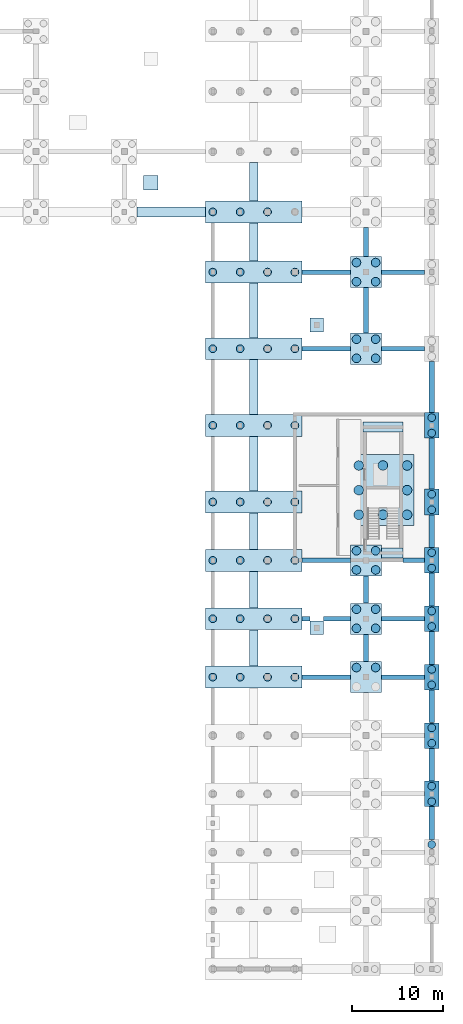
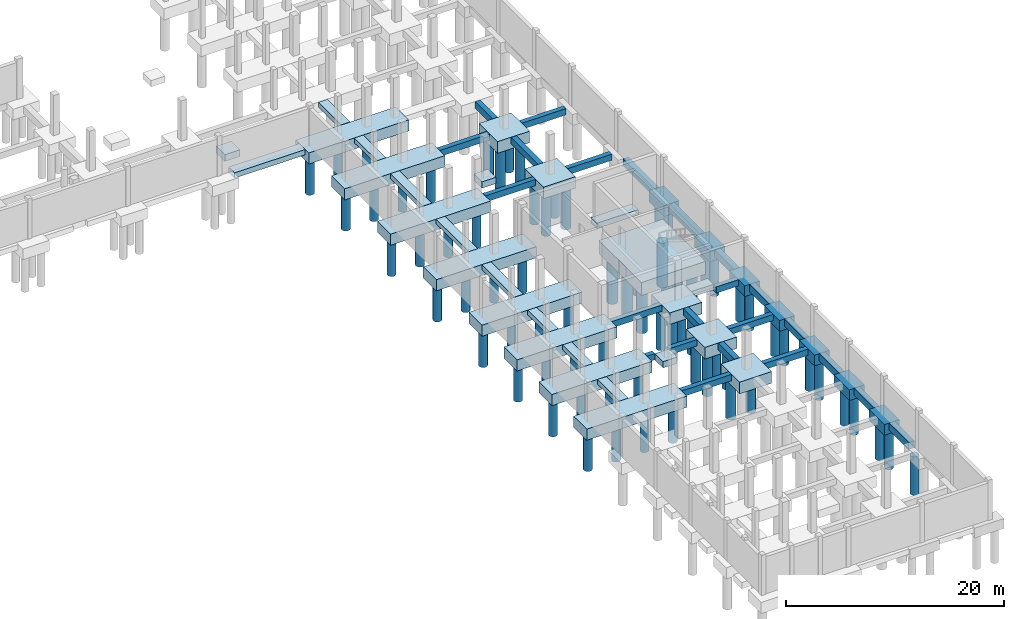
# One storey, part 6 of 21: 72 piles, 58 footings.
"""IFC4 building model written with IfcOpenShell, lengths in metres."""

from ifc_helpers import new_model, si_unit, derived_unit, direction, frame, origin, origin_2d, place, context, subcontext, project, spatial, rectangle, circle, extrude, material, material_profile, profile_set, type_object, element, save


model = new_model("IFC4")

# Units and contexts
model_context = context("Model", 3, precision=1e-05, world=origin(), true_north=direction((0.0, 1.0)))
body_context = subcontext(model_context, "Body", "Model", "MODEL_VIEW")
ifc_project = project(units=[si_unit("LENGTHUNIT", "METRE"), si_unit("AREAUNIT", "SQUARE_METRE"), si_unit("VOLUMEUNIT", "CUBIC_METRE"), si_unit("PLANEANGLEUNIT", "RADIAN"), si_unit("MASSUNIT", "GRAM", prefix="KILO"), derived_unit("THERMALTRANSMITTANCEUNIT", [(si_unit("POWERUNIT", "WATT"), 1), (si_unit("LENGTHUNIT", "METRE"), -2), (si_unit("THERMODYNAMICTEMPERATUREUNIT", "KELVIN"), -1)])], contexts=[model_context])

# Site, building, storey
site_placement = place(None, origin())
site = spatial("IfcSite", under=ifc_project, at=site_placement, CompositionType="ELEMENT")
building_placement = place(site_placement, origin())
building = spatial("IfcBuilding", under=site, at=building_placement, Name="Braskholm Square Health Centre", CompositionType="ELEMENT")
storey_placement = place(building_placement, frame((0.0, 0.0, -4.5)))
storey = spatial("IfcBuildingStorey", under=building, at=storey_placement, Name="B01", CompositionType="ELEMENT", Elevation=-4.5)

# Piles
ifc_material = material(Name="Concrete C40/50 (f'c = 40 MPa)", Category="concrete")
ifc_material_profile_1 = material_profile(ifc_material, circle(Radius=0.52490234375, at=origin_2d()), Name="BORED-PILE-1050")
ifc_profile_set_1 = profile_set([ifc_material_profile_1], Name="Concrete C40/50 (f'c = 40 MPa)")
pile_type_1 = type_object("IfcPileType", Name="BoredShaft1050", PredefinedType="BORED", material=ifc_profile_set_1)
for number, where, z_axis, x_axis, name in (
    (1, (161.10009765625, 54.0, -1.35009765625), (0.0, 0.0, -1.0), (1.0, 0.0, 0.0), "Rock-socketed shaft 0025"),
    (2, (161.10009765625, 56.699951171875, -1.35009765625), (0.0, 0.0, -1.0), (1.0, 0.0, 0.0), "Rock-socketed shaft 0026"),
    (3, (161.10009765625, 59.39990234375, -1.35009765625), (0.0, 0.0, -1.0), (1.0, 0.0, 0.0), "Rock-socketed shaft 0027"),
    (4, (158.449951171875, 54.0, -1.35009765625), (0.0, 0.0, -1.0), (1.0, 0.0, 0.0), "Rock-socketed shaft 0028"),
    (5, (158.449951171875, 59.39990234375, -1.35009765625), (0.0, 0.0, -1.0), (1.0, 0.0, 0.0), "Rock-socketed shaft 0029"),
    (6, (155.800048828125, 54.0, -1.35009765625), (0.0, 0.0, -1.0), (1.0, 0.0, 0.0), "Rock-socketed shaft 0030"),
    (7, (155.800048828125, 56.699951171875, -1.35009765625), (0.0, 0.0, -1.0), (1.0, 0.0, 0.0), "Rock-socketed shaft 0031"),
    (8, (155.800048828125, 59.39990234375, -1.35009765625), (0.0, 0.0, -1.0), (1.0, 0.0, 0.0), "Rock-socketed shaft 0032"),
):
    element("IfcPile", number, at=place(storey_placement, frame(where, z_axis=z_axis, x_axis=x_axis)), inside=storey, type_object=pile_type_1, Name=name, PredefinedType="BORED", context=body_context, shape_type="SweptSolid", body=[
        extrude(circle(Radius=0.52490234375, at=origin_2d()), origin(), (0.0, 0.0, 1.0), 5.0),
    ])
ifc_material_profile_2 = material_profile(ifc_material, circle(Radius=0.425048828125, at=origin_2d()), Name="BORED-PILE-850")
ifc_profile_set_2 = profile_set([ifc_material_profile_2], Name="Concrete C40/50 (f'c = 40 MPa)")
pile_type_2 = type_object("IfcPileType", Name="BoredShaft850", PredefinedType="BORED", material=ifc_profile_set_2)
for number, where, z_axis, x_axis, name in (
    (9, (139.800048828125, 36.199951171875, -1.14990234375), (0.0, 0.0, -1.0), (1.0, 0.0, 0.0), "Rock-socketed shaft 0121"),
    (10, (142.800048828125, 36.199951171875, -1.14990234375), (0.0, 0.0, -1.0), (1.0, 0.0, 0.0), "Rock-socketed shaft 0122"),
    (11, (145.800048828125, 36.199951171875, -1.14990234375), (0.0, 0.0, -1.0), (1.0, 0.0, 0.0), "Rock-socketed shaft 0123"),
    (12, (148.800048828125, 36.199951171875, -1.14990234375), (0.0, 0.0, -1.0), (1.0, 0.0, 0.0), "Rock-socketed shaft 0124"),
    (13, (139.800048828125, 42.60009765625, -1.14990234375), (0.0, 0.0, -1.0), (1.0, 0.0, 0.0), "Rock-socketed shaft 0125"),
    (14, (142.800048828125, 42.60009765625, -1.14990234375), (0.0, 0.0, -1.0), (1.0, 0.0, 0.0), "Rock-socketed shaft 0126"),
    (15, (145.800048828125, 42.60009765625, -1.14990234375), (0.0, 0.0, -1.0), (1.0, 0.0, 0.0), "Rock-socketed shaft 0127"),
    (16, (148.800048828125, 42.60009765625, -1.14990234375), (0.0, 0.0, -1.0), (1.0, 0.0, 0.0), "Rock-socketed shaft 0128"),
    (17, (139.800048828125, 49.0, -1.14990234375), (0.0, 0.0, -1.0), (1.0, 0.0, 0.0), "Rock-socketed shaft 0129"),
    (18, (142.800048828125, 49.0, -1.14990234375), (0.0, 0.0, -1.0), (1.0, 0.0, 0.0), "Rock-socketed shaft 0130"),
    (19, (145.800048828125, 49.0, -1.14990234375), (0.0, 0.0, -1.0), (1.0, 0.0, 0.0), "Rock-socketed shaft 0131"),
    (20, (148.800048828125, 49.0, -1.14990234375), (0.0, 0.0, -1.0), (1.0, 0.0, 0.0), "Rock-socketed shaft 0132"),
    (21, (139.800048828125, 55.39990234375, -1.14990234375), (0.0, 0.0, -1.0), (1.0, 0.0, 0.0), "Rock-socketed shaft 0133"),
    (22, (142.800048828125, 55.39990234375, -1.14990234375), (0.0, 0.0, -1.0), (1.0, 0.0, 0.0), "Rock-socketed shaft 0134"),
    (23, (145.800048828125, 55.39990234375, -1.14990234375), (0.0, 0.0, -1.0), (1.0, 0.0, 0.0), "Rock-socketed shaft 0135"),
    (24, (148.800048828125, 55.39990234375, -1.14990234375), (0.0, 0.0, -1.0), (1.0, 0.0, 0.0), "Rock-socketed shaft 0136"),
    (25, (139.800048828125, 63.800048828125, -1.14990234375), (0.0, 0.0, -1.0), (1.0, 0.0, 0.0), "Rock-socketed shaft 0137"),
    (26, (142.800048828125, 63.800048828125, -1.14990234375), (0.0, 0.0, -1.0), (1.0, 0.0, 0.0), "Rock-socketed shaft 0138"),
    (27, (145.800048828125, 63.800048828125, -1.14990234375), (0.0, 0.0, -1.0), (1.0, 0.0, 0.0), "Rock-socketed shaft 0139"),
    (28, (148.800048828125, 63.800048828125, -1.14990234375), (0.0, 0.0, -1.0), (1.0, 0.0, 0.0), "Rock-socketed shaft 0140"),
    (29, (139.800048828125, 72.199951171875, -1.14990234375), (0.0, 0.0, -1.0), (1.0, 0.0, 0.0), "Rock-socketed shaft 0141"),
    (30, (142.800048828125, 72.199951171875, -1.14990234375), (0.0, 0.0, -1.0), (1.0, 0.0, 0.0), "Rock-socketed shaft 0142"),
    (31, (145.800048828125, 72.199951171875, -1.14990234375), (0.0, 0.0, -1.0), (1.0, 0.0, 0.0), "Rock-socketed shaft 0143"),
    (32, (148.800048828125, 72.199951171875, -1.14990234375), (0.0, 0.0, -1.0), (1.0, 0.0, 0.0), "Rock-socketed shaft 0144"),
    (33, (139.800048828125, 80.60009765625, -1.14990234375), (0.0, 0.0, -1.0), (1.0, 0.0, 0.0), "Rock-socketed shaft 0145"),
    (34, (142.800048828125, 80.60009765625, -1.14990234375), (0.0, 0.0, -1.0), (1.0, 0.0, 0.0), "Rock-socketed shaft 0146"),
    (35, (145.800048828125, 80.60009765625, -1.14990234375), (0.0, 0.0, -1.0), (1.0, 0.0, 0.0), "Rock-socketed shaft 0147"),
    (36, (148.800048828125, 80.60009765625, -1.14990234375), (0.0, 0.0, -1.0), (1.0, 0.0, 0.0), "Rock-socketed shaft 0148"),
    (37, (139.800048828125, 87.199951171875, -1.14990234375), (0.0, 0.0, -1.0), (1.0, 0.0, 0.0), "Rock-socketed shaft 0149"),
    (38, (142.800048828125, 87.199951171875, -1.14990234375), (0.0, 0.0, -1.0), (1.0, 0.0, 0.0), "Rock-socketed shaft 0150"),
    (39, (145.800048828125, 87.199951171875, -1.14990234375), (0.0, 0.0, -1.0), (1.0, 0.0, 0.0), "Rock-socketed shaft 0151"),
    (40, (163.800048828125, 17.85009765625, -1.10009765625), (0.0, 0.0, -1.0), (1.0, 0.0, 0.0), "Rock-socketed shaft 0460"),
    (41, (163.800048828125, 22.550048828125, -1.10009765625), (0.0, 0.0, -1.0), (1.0, 0.0, 0.0), "Rock-socketed shaft 0461"),
    (42, (163.800048828125, 24.25, -1.10009765625), (0.0, 0.0, -1.0), (1.0, 0.0, 0.0), "Rock-socketed shaft 0462"),
    (43, (163.800048828125, 28.949951171875, -1.10009765625), (0.0, 0.0, -1.0), (1.0, 0.0, 0.0), "Rock-socketed shaft 0463"),
    (44, (163.800048828125, 30.64990234375, -1.10009765625), (0.0, 0.0, -1.0), (1.0, 0.0, 0.0), "Rock-socketed shaft 0464"),
    (45, (163.800048828125, 35.35009765625, -1.10009765625), (0.0, 0.0, -1.0), (1.0, 0.0, 0.0), "Rock-socketed shaft 0465"),
    (46, (163.800048828125, 37.050048828125, -1.10009765625), (0.0, 0.0, -1.0), (1.0, 0.0, 0.0), "Rock-socketed shaft 0466"),
    (47, (163.800048828125, 41.75, -1.10009765625), (0.0, 0.0, -1.0), (1.0, 0.0, 0.0), "Rock-socketed shaft 0467"),
    (48, (163.800048828125, 43.449951171875, -1.10009765625), (0.0, 0.0, -1.0), (1.0, 0.0, 0.0), "Rock-socketed shaft 0468"),
    (49, (163.800048828125, 48.14990234375, -1.10009765625), (0.0, 0.0, -1.0), (1.0, 0.0, 0.0), "Rock-socketed shaft 0469"),
    (50, (163.800048828125, 49.85009765625, -1.10009765625), (0.0, 0.0, -1.0), (1.0, 0.0, 0.0), "Rock-socketed shaft 0470"),
    (51, (163.800048828125, 54.550048828125, -1.10009765625), (0.0, 0.0, -1.0), (1.0, 0.0, 0.0), "Rock-socketed shaft 0471"),
    (52, (163.800048828125, 56.25, -1.10009765625), (0.0, 0.0, -1.0), (1.0, 0.0, 0.0), "Rock-socketed shaft 0472"),
    (53, (163.800048828125, 62.949951171875, -1.10009765625), (0.0, 0.0, -1.0), (1.0, 0.0, 0.0), "Rock-socketed shaft 0473"),
    (54, (163.800048828125, 64.64990234375, -1.10009765625), (0.0, 0.0, -1.0), (1.0, 0.0, 0.0), "Rock-socketed shaft 0474"),
):
    element("IfcPile", number, at=place(storey_placement, frame(where, z_axis=z_axis, x_axis=x_axis)), inside=storey, type_object=pile_type_2, Name=name, PredefinedType="BORED", context=body_context, shape_type="SweptSolid", body=[
        extrude(circle(Radius=0.425048828125, at=origin_2d()), origin(), (0.0, 0.0, 1.0), 4.300048828125),
    ])
ifc_material_profile_3 = material_profile(ifc_material, circle(Radius=0.47509765625, at=origin_2d()), Name="BORED-PILE-950")
ifc_profile_set_3 = profile_set([ifc_material_profile_3], Name="Concrete C40/50 (f'c = 40 MPa)")
pile_type_3 = type_object("IfcPileType", Name="BoredShaft950", PredefinedType="BORED", material=ifc_profile_set_3)
for number, where, z_axis, x_axis, name in (
    (55, (155.550048828125, 37.25, -1.199951171875), (0.0, 0.0, -1.0), (1.0, 0.0, 0.0), "Rock-socketed shaft 0419"),
    (56, (157.64990234375, 37.25, -1.199951171875), (0.0, 0.0, -1.0), (1.0, 0.0, 0.0), "Rock-socketed shaft 0420"),
    (57, (155.550048828125, 41.550048828125, -1.199951171875), (0.0, 0.0, -1.0), (1.0, 0.0, 0.0), "Rock-socketed shaft 0421"),
    (58, (157.64990234375, 41.550048828125, -1.199951171875), (0.0, 0.0, -1.0), (1.0, 0.0, 0.0), "Rock-socketed shaft 0422"),
    (59, (155.550048828125, 43.64990234375, -1.199951171875), (0.0, 0.0, -1.0), (1.0, 0.0, 0.0), "Rock-socketed shaft 0423"),
    (60, (157.64990234375, 43.64990234375, -1.199951171875), (0.0, 0.0, -1.0), (1.0, 0.0, 0.0), "Rock-socketed shaft 0424"),
    (61, (155.550048828125, 47.949951171875, -1.199951171875), (0.0, 0.0, -1.0), (1.0, 0.0, 0.0), "Rock-socketed shaft 0425"),
    (62, (157.64990234375, 47.949951171875, -1.199951171875), (0.0, 0.0, -1.0), (1.0, 0.0, 0.0), "Rock-socketed shaft 0426"),
    (63, (155.550048828125, 50.050048828125, -1.199951171875), (0.0, 0.0, -1.0), (1.0, 0.0, 0.0), "Rock-socketed shaft 0427"),
    (64, (157.64990234375, 50.050048828125, -1.199951171875), (0.0, 0.0, -1.0), (1.0, 0.0, 0.0), "Rock-socketed shaft 0428"),
    (65, (155.550048828125, 71.14990234375, -1.199951171875), (0.0, 0.0, -1.0), (1.0, 0.0, 0.0), "Rock-socketed shaft 0429"),
    (66, (157.64990234375, 71.14990234375, -1.199951171875), (0.0, 0.0, -1.0), (1.0, 0.0, 0.0), "Rock-socketed shaft 0430"),
    (67, (155.550048828125, 73.25, -1.199951171875), (0.0, 0.0, -1.0), (1.0, 0.0, 0.0), "Rock-socketed shaft 0431"),
    (68, (157.64990234375, 73.25, -1.199951171875), (0.0, 0.0, -1.0), (1.0, 0.0, 0.0), "Rock-socketed shaft 0432"),
    (69, (155.550048828125, 79.550048828125, -1.199951171875), (0.0, 0.0, -1.0), (1.0, 0.0, 0.0), "Rock-socketed shaft 0433"),
    (70, (157.64990234375, 79.550048828125, -1.199951171875), (0.0, 0.0, -1.0), (1.0, 0.0, 0.0), "Rock-socketed shaft 0434"),
    (71, (155.550048828125, 81.64990234375, -1.199951171875), (0.0, 0.0, -1.0), (1.0, 0.0, 0.0), "Rock-socketed shaft 0435"),
    (72, (157.64990234375, 81.64990234375, -1.199951171875), (0.0, 0.0, -1.0), (1.0, 0.0, 0.0), "Rock-socketed shaft 0436"),
):
    element("IfcPile", number, at=place(storey_placement, frame(where, z_axis=z_axis, x_axis=x_axis)), inside=storey, type_object=pile_type_3, Name=name, PredefinedType="BORED", context=body_context, shape_type="SweptSolid", body=[
        extrude(circle(Radius=0.47509765625, at=origin_2d()), origin(), (0.0, 0.0, 1.0), 4.60009765625),
    ])

# Footings
ifc_material_profile_4 = material_profile(ifc_material, rectangle(XDim=0.60009765625, YDim=0.800048828125, at=origin_2d()), Name="FTG-600X800")
ifc_profile_set_4 = profile_set([ifc_material_profile_4], Name="Concrete C40/50 (f'c = 40 MPa)")
footing_type_1 = type_object("IfcFootingType", Name="GradeBeamFrost600x800", PredefinedType="FOOTING_BEAM", material=ifc_profile_set_4)
for number, where, z_axis, x_axis, name in (
    (73, (163.800048828125, 18.405029296875, -0.39990234375), (0.0, 1.0, 0.0), (-1.0, 0.0, 0.0), "Foundation tie beam 0102"),
    (74, (163.800048828125, 24.804931640625, -0.39990234375), (0.0, 1.0, 0.0), (-1.0, 0.0, 0.0), "Foundation tie beam 0103"),
):
    element("IfcFooting", number, at=place(storey_placement, frame(where, z_axis=z_axis, x_axis=x_axis)), inside=storey, type_object=footing_type_1, Name=name, PredefinedType="FOOTING_BEAM", context=body_context, shape_type="SweptSolid", body=[
        extrude(rectangle(XDim=0.60009765625, YDim=0.800048828125, at=origin_2d()), origin(), (0.0, 0.0, 1.0), 3.590087890625),
    ])
footing_1_placement = place(storey_placement, frame((163.800048828125, 31.205078125, -0.39990234375), z_axis=(0.0, 1.0, 0.0), x_axis=(-1.0, 0.0, 0.0)))
element("IfcFooting", 75, at=footing_1_placement, inside=storey, type_object=footing_type_1, Name="Foundation tie beam 0104", PredefinedType="FOOTING_BEAM", context=body_context, shape_type="SweptSolid", body=[
    extrude(rectangle(XDim=0.60009765625, YDim=0.800048828125, at=origin_2d()), origin(), (0.0, 0.0, 1.0), 3.58984375),
])
for number, where, z_axis, x_axis, name in (
    (76, (163.800048828125, 37.60498046875, -0.39990234375), (0.0, 1.0, 0.0), (-1.0, 0.0, 0.0), "Foundation tie beam 0105"),
    (77, (163.800048828125, 44.0048828125, -0.39990234375), (0.0, 1.0, 0.0), (-1.0, 0.0, 0.0), "Foundation tie beam 0106"),
    (78, (163.800048828125, 50.405029296875, -0.39990234375), (0.0, 1.0, 0.0), (-1.0, 0.0, 0.0), "Foundation tie beam 0107"),
):
    element("IfcFooting", number, at=place(storey_placement, frame(where, z_axis=z_axis, x_axis=x_axis)), inside=storey, type_object=footing_type_1, Name=name, PredefinedType="FOOTING_BEAM", context=body_context, shape_type="SweptSolid", body=[
        extrude(rectangle(XDim=0.60009765625, YDim=0.800048828125, at=origin_2d()), origin(), (0.0, 0.0, 1.0), 3.590087890625),
    ])
footing_2_placement = place(storey_placement, frame((163.800048828125, 56.804931640625, -0.39990234375), z_axis=(0.0, 1.0, 0.0), x_axis=(-1.0, 0.0, 0.0)))
element("IfcFooting", 79, at=footing_2_placement, inside=storey, type_object=footing_type_1, Name="Foundation tie beam 0108", PredefinedType="FOOTING_BEAM", context=body_context, shape_type="SweptSolid", body=[
    extrude(rectangle(XDim=0.60009765625, YDim=0.800048828125, at=origin_2d()), origin(), (0.0, 0.0, 1.0), 5.590087890625),
])
footing_3_placement = place(storey_placement, frame((163.800048828125, 65.205078125, -0.39990234375), z_axis=(0.0, 1.0, 0.0), x_axis=(-1.0, 0.0, 0.0)))
element("IfcFooting", 80, at=footing_3_placement, inside=storey, type_object=footing_type_1, Name="Foundation tie beam 0109", PredefinedType="FOOTING_BEAM", context=body_context, shape_type="SweptSolid", body=[
    extrude(rectangle(XDim=0.60009765625, YDim=0.800048828125, at=origin_2d()), origin(), (0.0, 0.0, 1.0), 5.58984375),
])
ifc_material_profile_5 = material_profile(ifc_material, rectangle(XDim=0.5, YDim=0.699951171875, at=origin_2d()), Name="FTG-500X700")
ifc_profile_set_5 = profile_set([ifc_material_profile_5], Name="Concrete C40/50 (f'c = 40 MPa)")
footing_type_2 = type_object("IfcFootingType", Name="GradeBeamTie500x700", PredefinedType="FOOTING_BEAM", material=ifc_profile_set_5)
footing_4_placement = place(storey_placement, frame((149.60498046875, 36.199951171875, -0.35009765625), z_axis=(1.0, 0.0, 0.0), x_axis=(0.0, 1.0, 0.0)))
element("IfcFooting", 81, at=footing_4_placement, inside=storey, type_object=footing_type_2, Name="Foundation tie beam 0133", PredefinedType="FOOTING_BEAM", context=body_context, shape_type="SweptSolid", body=[
    extrude(rectangle(XDim=0.5, YDim=0.699951171875, at=origin_2d()), origin(), (0.0, 0.0, 1.0), 5.2900390625),
])
footing_5_placement = place(storey_placement, frame((158.304931640625, 36.199951171875, -0.35009765625), z_axis=(1.0, 0.0, 0.0), x_axis=(0.0, 1.0, 0.0)))
element("IfcFooting", 82, at=footing_5_placement, inside=storey, type_object=footing_type_2, Name="Foundation tie beam 0134", PredefinedType="FOOTING_BEAM", context=body_context, shape_type="SweptSolid", body=[
    extrude(rectangle(XDim=0.5, YDim=0.699951171875, at=origin_2d()), origin(), (0.0, 0.0, 1.0), 4.690185546875),
])
footing_6_placement = place(storey_placement, frame((149.60498046875, 42.60009765625, -0.35009765625), z_axis=(1.0, 0.0, 0.0), x_axis=(0.0, 1.0, 0.0)))
element("IfcFooting", 83, at=footing_6_placement, inside=storey, type_object=footing_type_2, Name="Foundation tie beam 0138", PredefinedType="FOOTING_BEAM", context=body_context, shape_type="SweptSolid", body=[
    extrude(rectangle(XDim=0.5, YDim=0.699951171875, at=origin_2d()), origin(), (0.0, 0.0, 1.0), 0.841064453125),
])
footing_7_placement = place(storey_placement, frame((151.9541015625, 42.60009765625, -0.35009765625), z_axis=(1.0, 0.0, 0.0), x_axis=(0.0, 1.0, 0.0)))
element("IfcFooting", 84, at=footing_7_placement, inside=storey, type_object=footing_type_2, Name="Foundation tie beam 0139", PredefinedType="FOOTING_BEAM", context=body_context, shape_type="SweptSolid", body=[
    extrude(rectangle(XDim=0.5, YDim=0.699951171875, at=origin_2d()), origin(), (0.0, 0.0, 1.0), 2.94091796875),
])
footing_8_placement = place(storey_placement, frame((158.304931640625, 42.60009765625, -0.35009765625), z_axis=(1.0, 0.0, 0.0), x_axis=(0.0, 1.0, 0.0)))
element("IfcFooting", 85, at=footing_8_placement, inside=storey, type_object=footing_type_2, Name="Foundation tie beam 0140", PredefinedType="FOOTING_BEAM", context=body_context, shape_type="SweptSolid", body=[
    extrude(rectangle(XDim=0.5, YDim=0.699951171875, at=origin_2d()), origin(), (0.0, 0.0, 1.0), 4.690185546875),
])
footing_9_placement = place(storey_placement, frame((149.60498046875, 49.0, -0.35009765625), z_axis=(1.0, 0.0, 0.0), x_axis=(0.0, 1.0, 0.0)))
element("IfcFooting", 86, at=footing_9_placement, inside=storey, type_object=footing_type_2, Name="Foundation tie beam 0143", PredefinedType="FOOTING_BEAM", context=body_context, shape_type="SweptSolid", body=[
    extrude(rectangle(XDim=0.5, YDim=0.699951171875, at=origin_2d()), origin(), (0.0, 0.0, 1.0), 5.2900390625),
])
footing_10_placement = place(storey_placement, frame((160.654052734375, 49.0, -0.35009765625), z_axis=(1.0, 0.0, 0.0), x_axis=(0.0, 1.0, 0.0)))
element("IfcFooting", 87, at=footing_10_placement, inside=storey, type_object=footing_type_2, Name="Foundation tie beam 0144", PredefinedType="FOOTING_BEAM", context=body_context, shape_type="SweptSolid", body=[
    extrude(rectangle(XDim=0.5, YDim=0.699951171875, at=origin_2d()), origin(), (0.0, 0.0, 1.0), 2.341064453125),
])
footing_11_placement = place(storey_placement, frame((149.60498046875, 72.199951171875, -0.35009765625), z_axis=(1.0, 0.0, 0.0), x_axis=(0.0, 1.0, 0.0)))
element("IfcFooting", 88, at=footing_11_placement, inside=storey, type_object=footing_type_2, Name="Foundation tie beam 0149", PredefinedType="FOOTING_BEAM", context=body_context, shape_type="SweptSolid", body=[
    extrude(rectangle(XDim=0.5, YDim=0.699951171875, at=origin_2d()), origin(), (0.0, 0.0, 1.0), 5.2900390625),
])
footing_12_placement = place(storey_placement, frame((158.304931640625, 72.199951171875, -0.35009765625), z_axis=(1.0, 0.0, 0.0), x_axis=(0.0, 1.0, 0.0)))
element("IfcFooting", 89, at=footing_12_placement, inside=storey, type_object=footing_type_2, Name="Foundation tie beam 0150", PredefinedType="FOOTING_BEAM", context=body_context, shape_type="SweptSolid", body=[
    extrude(rectangle(XDim=0.5, YDim=0.699951171875, at=origin_2d()), origin(), (0.0, 0.0, 1.0), 4.690185546875),
])
footing_13_placement = place(storey_placement, frame((149.60498046875, 80.60009765625, -0.35009765625), z_axis=(1.0, 0.0, 0.0), x_axis=(0.0, 1.0, 0.0)))
element("IfcFooting", 90, at=footing_13_placement, inside=storey, type_object=footing_type_2, Name="Foundation tie beam 0153", PredefinedType="FOOTING_BEAM", context=body_context, shape_type="SweptSolid", body=[
    extrude(rectangle(XDim=0.5, YDim=0.699951171875, at=origin_2d()), origin(), (0.0, 0.0, 1.0), 5.2900390625),
])
footing_14_placement = place(storey_placement, frame((158.304931640625, 80.60009765625, -0.35009765625), z_axis=(1.0, 0.0, 0.0), x_axis=(0.0, 1.0, 0.0)))
element("IfcFooting", 91, at=footing_14_placement, inside=storey, type_object=footing_type_2, Name="Foundation tie beam 0154", PredefinedType="FOOTING_BEAM", context=body_context, shape_type="SweptSolid", body=[
    extrude(rectangle(XDim=0.5, YDim=0.699951171875, at=origin_2d()), origin(), (0.0, 0.0, 1.0), 4.690185546875),
])
ifc_material_profile_6 = material_profile(ifc_material, rectangle(XDim=0.550048828125, YDim=0.75, at=origin_2d()), Name="FTG-550X750")
ifc_profile_set_6 = profile_set([ifc_material_profile_6], Name="Concrete C40/50 (f'c = 40 MPa)")
footing_type_3 = type_object("IfcFootingType", Name="GradeBeamTie550x750", PredefinedType="FOOTING_BEAM", material=ifc_profile_set_6)
for number, where, z_axis, x_axis, name in (
    (92, (156.60009765625, 37.905029296875, -0.375), (0.0, 1.0, 0.0), (-1.0, 0.0, 0.0), "Foundation tie beam 0093"),
    (93, (156.60009765625, 44.304931640625, -0.375), (0.0, 1.0, 0.0), (-1.0, 0.0, 0.0), "Foundation tie beam 0094"),
):
    element("IfcFooting", number, at=place(storey_placement, frame(where, z_axis=z_axis, x_axis=x_axis)), inside=storey, type_object=footing_type_3, Name=name, PredefinedType="FOOTING_BEAM", context=body_context, shape_type="SweptSolid", body=[
        extrude(rectangle(XDim=0.550048828125, YDim=0.75, at=origin_2d()), origin(), (0.0, 0.0, 1.0), 2.989990234375),
    ])
footing_15_placement = place(storey_placement, frame((156.60009765625, 73.905029296875, -0.375), z_axis=(0.0, 1.0, 0.0), x_axis=(-1.0, 0.0, 0.0)))
element("IfcFooting", 94, at=footing_15_placement, inside=storey, type_object=footing_type_3, Name="Foundation tie beam 0095", PredefinedType="FOOTING_BEAM", context=body_context, shape_type="SweptSolid", body=[
    extrude(rectangle(XDim=0.550048828125, YDim=0.75, at=origin_2d()), origin(), (0.0, 0.0, 1.0), 4.989990234375),
])
footing_16_placement = place(storey_placement, frame((156.60009765625, 82.304931640625, -0.375), z_axis=(0.0, 1.0, 0.0), x_axis=(-1.0, 0.0, 0.0)))
element("IfcFooting", 95, at=footing_16_placement, inside=storey, type_object=footing_type_3, Name="Foundation tie beam 0096", PredefinedType="FOOTING_BEAM", context=body_context, shape_type="SweptSolid", body=[
    extrude(rectangle(XDim=0.550048828125, YDim=0.75, at=origin_2d()), origin(), (0.0, 0.0, 1.0), 3.190185546875),
])
footing_type_4 = type_object("IfcFootingType", Name="PadFootingCanopy1600x1600", PredefinedType="PAD_FOOTING", material=ifc_material)
footing_17_placement = place(storey_placement, frame((133.0, 90.39990234375, -0.75), z_axis=(0.0, 0.0, 1.0), x_axis=(1.0, 0.0, 0.0)))
element("IfcFooting", 96, at=footing_17_placement, inside=storey, type_object=footing_type_4, Name="Frost-depth pad footing 002", PredefinedType="PAD_FOOTING", context=body_context, shape_type="SweptSolid", body=[
    extrude(rectangle(XDim=1.60009765625, YDim=1.60009765625, at=origin_2d()), origin(), (0.0, 0.0, 1.0), 0.75),
])
footing_type_5 = type_object("IfcFootingType", Name="PadFootingScreen1500x1500", PredefinedType="PAD_FOOTING", material=ifc_material)
for number, where, z_axis, x_axis, name in (
    (97, (151.199951171875, 41.60009765625, -0.7001953125), (0.0, 0.0, 1.0), (1.0, 0.0, 0.0), "Special column pad footing CS3D"),
    (98, (151.199951171875, 74.800048828125, -0.7001953125), (0.0, 0.0, 1.0), (1.0, 0.0, 0.0), "Special column pad footing CS3F"),
):
    element("IfcFooting", number, at=place(storey_placement, frame(where, z_axis=z_axis, x_axis=x_axis)), inside=storey, type_object=footing_type_5, Name=name, PredefinedType="PAD_FOOTING", context=body_context, shape_type="SweptSolid", body=[
        extrude(rectangle(XDim=1.5, YDim=1.5, at=origin_2d()), origin(), (0.0, 0.0, 1.0), 0.699951171875),
    ])
footing_type_6 = type_object("IfcFootingType", Name="PileCap2Pile2800x1600", PredefinedType="PILE_CAP", material=ifc_material)
for number, where, z_axis, x_axis, name in (
    (99, (163.800048828125, 23.39990234375, -1.2001953125), (0.0, 0.0, 1.0), (0.0, 1.0, 0.0), "Column pile cap FTG-PC-0129 at 22/D"),
    (100, (163.800048828125, 29.800048828125, -1.2001953125), (0.0, 0.0, 1.0), (0.0, 1.0, 0.0), "Column pile cap FTG-PC-0130 at 22/E"),
    (101, (163.800048828125, 36.199951171875, -1.2001953125), (0.0, 0.0, 1.0), (0.0, 1.0, 0.0), "Column pile cap FTG-PC-0131 at 22/F"),
    (102, (163.800048828125, 42.60009765625, -1.2001953125), (0.0, 0.0, 1.0), (0.0, 1.0, 0.0), "Column pile cap FTG-PC-0132 at 22/G"),
    (103, (163.800048828125, 49.0, -1.2001953125), (0.0, 0.0, 1.0), (0.0, 1.0, 0.0), "Column pile cap FTG-PC-0133 at 22/H"),
    (104, (163.800048828125, 55.39990234375, -1.2001953125), (0.0, 0.0, 1.0), (0.0, 1.0, 0.0), "Column pile cap FTG-PC-0134 at 22/J"),
    (105, (163.800048828125, 63.800048828125, -1.2001953125), (0.0, 0.0, 1.0), (0.0, 1.0, 0.0), "Column pile cap FTG-PC-0135 at 22/K"),
):
    element("IfcFooting", number, at=place(storey_placement, frame(where, z_axis=z_axis, x_axis=x_axis)), inside=storey, type_object=footing_type_6, Name=name, PredefinedType="PILE_CAP", context=body_context, shape_type="SweptSolid", body=[
        extrude(rectangle(XDim=2.800048828125, YDim=1.60009765625, at=origin_2d()), origin(), (0.0, 0.0, 1.0), 1.199951171875),
    ])
footing_type_7 = type_object("IfcFootingType", Name="PileCap4Pile3400x3400", PredefinedType="PILE_CAP", material=ifc_material)
for number, where, z_axis, x_axis, name in (
    (106, (156.60009765625, 36.199951171875, -1.2998046875), (0.0, 0.0, 1.0), (1.0, 0.0, 0.0), "Column pile cap FTG-PC-0116 at 21/F"),
    (107, (156.60009765625, 42.60009765625, -1.2998046875), (0.0, 0.0, 1.0), (1.0, 0.0, 0.0), "Column pile cap FTG-PC-0117 at 21/G"),
    (108, (156.60009765625, 49.0, -1.2998046875), (0.0, 0.0, 1.0), (1.0, 0.0, 0.0), "Column pile cap FTG-PC-0118 at 21/H"),
    (109, (156.60009765625, 72.199951171875, -1.2998046875), (0.0, 0.0, 1.0), (1.0, 0.0, 0.0), "Column pile cap FTG-PC-0119 at 21/L"),
    (110, (156.60009765625, 80.60009765625, -1.2998046875), (0.0, 0.0, 1.0), (1.0, 0.0, 0.0), "Column pile cap FTG-PC-0120 at 21/M"),
):
    element("IfcFooting", number, at=place(storey_placement, frame(where, z_axis=z_axis, x_axis=x_axis)), inside=storey, type_object=footing_type_7, Name=name, PredefinedType="PILE_CAP", context=body_context, shape_type="SweptSolid", body=[
        extrude(rectangle(XDim=3.39990234375, YDim=3.39990234375, at=origin_2d()), origin(), (0.0, 0.0, 1.0), 1.300048828125),
    ])
footing_type_8 = type_object("IfcFootingType", Name="PileCap4PileStep10600x2400", PredefinedType="PILE_CAP", material=ifc_material)
for number, where, z_axis, x_axis, name in (
    (111, (144.300048828125, 36.199951171875, -1.25), (0.0, 0.0, 1.0), (1.0, 0.0, 0.0), "Combined step pile cap FTG-PC-0027"),
    (112, (144.300048828125, 42.60009765625, -1.25), (0.0, 0.0, 1.0), (1.0, 0.0, 0.0), "Combined step pile cap FTG-PC-0028"),
    (113, (144.300048828125, 49.0, -1.25), (0.0, 0.0, 1.0), (1.0, 0.0, 0.0), "Combined step pile cap FTG-PC-0029"),
    (114, (144.300048828125, 55.39990234375, -1.25), (0.0, 0.0, 1.0), (1.0, 0.0, 0.0), "Combined step pile cap FTG-PC-0030"),
    (115, (144.300048828125, 63.800048828125, -1.25), (0.0, 0.0, 1.0), (1.0, 0.0, 0.0), "Combined step pile cap FTG-PC-0031"),
    (116, (144.300048828125, 72.199951171875, -1.25), (0.0, 0.0, 1.0), (1.0, 0.0, 0.0), "Combined step pile cap FTG-PC-0032"),
    (117, (144.300048828125, 80.60009765625, -1.25), (0.0, 0.0, 1.0), (1.0, 0.0, 0.0), "Combined step pile cap FTG-PC-0033"),
    (118, (144.300048828125, 87.199951171875, -1.25), (0.0, 0.0, 1.0), (1.0, 0.0, 0.0), "Combined step pile cap FTG-PC-0034"),
):
    element("IfcFooting", number, at=place(storey_placement, frame(where, z_axis=z_axis, x_axis=x_axis)), inside=storey, type_object=footing_type_8, Name=name, PredefinedType="PILE_CAP", context=body_context, shape_type="SweptSolid", body=[
        extrude(rectangle(XDim=10.60009765625, YDim=2.39990234375, at=origin_2d()), origin(), (0.0, 0.0, 1.0), 1.25),
    ])
footing_type_9 = type_object("IfcFootingType", Name="PileCap8PileCore7800x6800", PredefinedType="PILE_CAP", material=ifc_material)
footing_18_placement = place(storey_placement, frame((158.449951171875, 56.699951171875, -1.4501953125), z_axis=(0.0, 0.0, 1.0), x_axis=(0.0, 1.0, 0.0)))
element("IfcFooting", 119, at=footing_18_placement, inside=storey, type_object=footing_type_9, Name="Core pile cap PC-11 K4", PredefinedType="PILE_CAP", context=body_context, shape_type="SweptSolid", body=[
    extrude(rectangle(XDim=7.800048828125, YDim=6.800048828125, at=origin_2d()), origin(), (0.0, 0.0, 1.0), 1.449951171875),
])
ifc_material_profile_7 = material_profile(ifc_material, rectangle(XDim=0.949951171875, YDim=0.550048828125, at=origin_2d()), Name="FTG-950X550")
ifc_profile_set_7 = profile_set([ifc_material_profile_7], Name="Concrete C40/50 (f'c = 40 MPa)")
footing_type_10 = type_object("IfcFootingType", Name="StripFootingColonnade950x550", PredefinedType="STRIP_FOOTING", material=ifc_profile_set_7)
for number, where, z_axis, x_axis, name in (
    (120, (144.300048828125, 37.405029296875, -0.27490234375), (0.0, 1.0, 0.0), (-1.0, 0.0, 0.0), "Foundation tie beam 0077"),
    (121, (144.300048828125, 43.804931640625, -0.27490234375), (0.0, 1.0, 0.0), (-1.0, 0.0, 0.0), "Foundation tie beam 0078"),
    (122, (144.300048828125, 50.205078125, -0.27490234375), (0.0, 1.0, 0.0), (-1.0, 0.0, 0.0), "Foundation tie beam 0079"),
):
    element("IfcFooting", number, at=place(storey_placement, frame(where, z_axis=z_axis, x_axis=x_axis)), inside=storey, type_object=footing_type_10, Name=name, PredefinedType="STRIP_FOOTING", context=body_context, shape_type="SweptSolid", body=[
        extrude(rectangle(XDim=0.949951171875, YDim=0.550048828125, at=origin_2d()), origin(), (0.0, 0.0, 1.0), 3.989990234375),
    ])
footing_19_placement = place(storey_placement, frame((144.300048828125, 56.60498046875, -0.27490234375), z_axis=(0.0, 1.0, 0.0), x_axis=(-1.0, 0.0, 0.0)))
element("IfcFooting", 123, at=footing_19_placement, inside=storey, type_object=footing_type_10, Name="Foundation tie beam 0080", PredefinedType="STRIP_FOOTING", context=body_context, shape_type="SweptSolid", body=[
    extrude(rectangle(XDim=0.949951171875, YDim=0.550048828125, at=origin_2d()), origin(), (0.0, 0.0, 1.0), 5.989990234375),
])
footing_20_placement = place(storey_placement, frame((144.300048828125, 65.0048828125, -0.27490234375), z_axis=(0.0, 1.0, 0.0), x_axis=(-1.0, 0.0, 0.0)))
element("IfcFooting", 124, at=footing_20_placement, inside=storey, type_object=footing_type_10, Name="Foundation tie beam 0081", PredefinedType="STRIP_FOOTING", context=body_context, shape_type="SweptSolid", body=[
    extrude(rectangle(XDim=0.949951171875, YDim=0.550048828125, at=origin_2d()), origin(), (0.0, 0.0, 1.0), 5.990234375),
])
footing_21_placement = place(storey_placement, frame((144.300048828125, 73.405029296875, -0.27490234375), z_axis=(0.0, 1.0, 0.0), x_axis=(-1.0, 0.0, 0.0)))
element("IfcFooting", 125, at=footing_21_placement, inside=storey, type_object=footing_type_10, Name="Foundation tie beam 0082", PredefinedType="STRIP_FOOTING", context=body_context, shape_type="SweptSolid", body=[
    extrude(rectangle(XDim=0.949951171875, YDim=0.550048828125, at=origin_2d()), origin(), (0.0, 0.0, 1.0), 5.989990234375),
])
footing_22_placement = place(storey_placement, frame((144.300048828125, 81.804931640625, -0.27490234375), z_axis=(0.0, 1.0, 0.0), x_axis=(-1.0, 0.0, 0.0)))
element("IfcFooting", 126, at=footing_22_placement, inside=storey, type_object=footing_type_10, Name="Foundation tie beam 0083", PredefinedType="STRIP_FOOTING", context=body_context, shape_type="SweptSolid", body=[
    extrude(rectangle(XDim=0.949951171875, YDim=0.550048828125, at=origin_2d()), origin(), (0.0, 0.0, 1.0), 4.190185546875),
])
footing_23_placement = place(storey_placement, frame((144.300048828125, 88.405029296875, -0.27490234375), z_axis=(0.0, 1.0, 0.0), x_axis=(-1.0, 0.0, 0.0)))
element("IfcFooting", 127, at=footing_23_placement, inside=storey, type_object=footing_type_10, Name="Foundation tie beam 0084", PredefinedType="STRIP_FOOTING", context=body_context, shape_type="SweptSolid", body=[
    extrude(rectangle(XDim=0.949951171875, YDim=0.550048828125, at=origin_2d()), origin(), (0.0, 0.0, 1.0), 4.18994140625),
])
ifc_material_profile_8 = material_profile(ifc_material, rectangle(XDim=1.10009765625, YDim=0.60009765625, at=origin_2d()), Name="FTG-1100X600")
ifc_profile_set_8 = profile_set([ifc_material_profile_8], Name="Concrete C40/50 (f'c = 40 MPa)")
footing_type_11 = type_object("IfcFootingType", Name="StripFootingWall1100x600", PredefinedType="STRIP_FOOTING", material=ifc_profile_set_8)
footing_24_placement = place(storey_placement, frame((158.303955078125, 49.800048828125, -0.300048828125), z_axis=(1.0, 0.0, 0.0), x_axis=(0.0, 1.0, 0.0)))
element("IfcFooting", 128, at=footing_24_placement, inside=storey, type_object=footing_type_11, Name="Core K4 S wall strip footing", PredefinedType="STRIP_FOOTING", context=body_context, shape_type="SweptSolid", body=[
    extrude(rectangle(XDim=1.10009765625, YDim=0.60009765625, at=origin_2d()), origin(), (0.0, 0.0, 1.0), 2.345947265625),
])
footing_25_placement = place(storey_placement, frame((156.25, 63.60009765625, -0.300048828125), z_axis=(1.0, 0.0, 0.0), x_axis=(0.0, 1.0, 0.0)))
element("IfcFooting", 129, at=footing_25_placement, inside=storey, type_object=footing_type_11, Name="Core K4 N wall strip footing", PredefinedType="STRIP_FOOTING", context=body_context, shape_type="SweptSolid", body=[
    extrude(rectangle(XDim=1.10009765625, YDim=0.60009765625, at=origin_2d()), origin(), (0.0, 0.0, 1.0), 4.39990234375),
])
footing_26_placement = place(storey_placement, frame((131.5048828125, 87.199951171875, -0.300048828125), z_axis=(1.0, 0.0, 0.0), x_axis=(0.0, 1.0, 0.0)))
element("IfcFooting", 130, at=footing_26_placement, inside=storey, type_object=footing_type_11, Name="Foundation tie beam 0172", PredefinedType="STRIP_FOOTING", context=body_context, shape_type="SweptSolid", body=[
    extrude(rectangle(XDim=1.10009765625, YDim=0.60009765625, at=origin_2d()), origin(), (0.0, 0.0, 1.0), 7.490234375),
])

save(model, "model.ifc")
